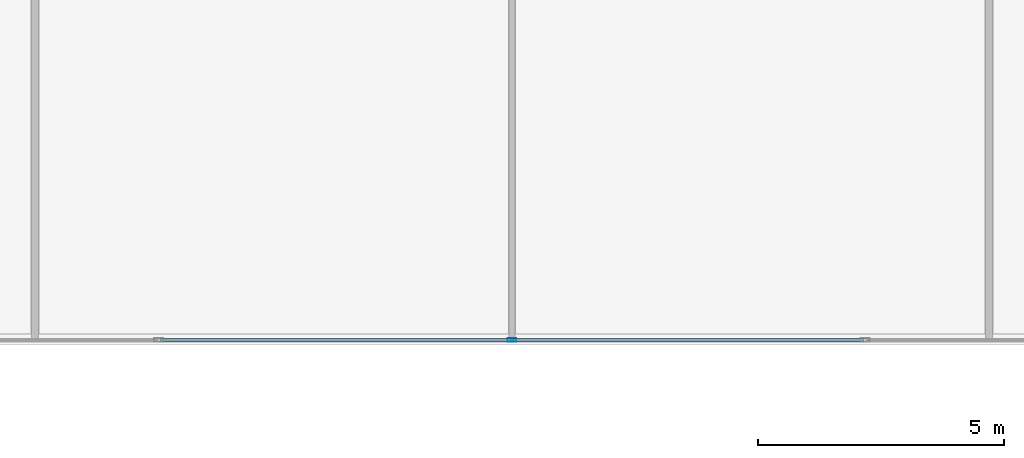
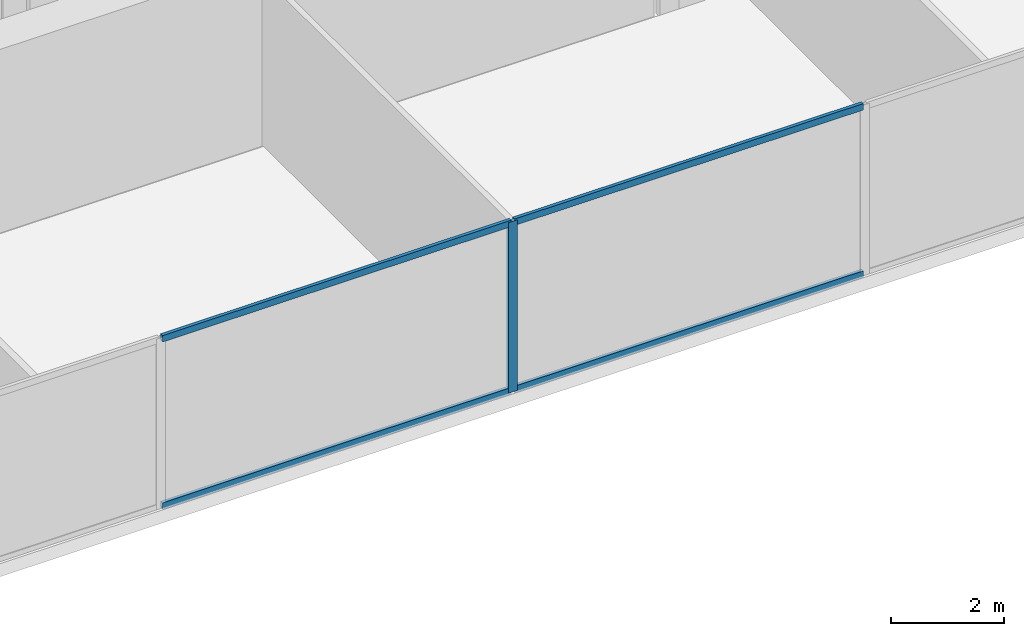
# One storey, part 6 of 30: 5 members, 1 element without a shape of its own.
"""IFC4 building model written with IfcOpenShell, lengths in metres."""

import ifcopenshell
import ifcopenshell.guid

model = None  # the IFC model being written
_history = None  # IfcOwnerHistory: only IFC2X3 demands one
_inside = {}  # id of a spatial element -> (the spatial element, [elements in it])
_under = {}  # id of a project, library or spatial element -> (it, [spatial elements below it])
_declared = {}  # id of a project -> (the project, [libraries it declares])
_typed = {}  # id of a type object -> (the type object, [elements of that type])
_made_of = {}  # id of a material, layer set ... -> (it, [elements and type objects made of it])


def new_model(schema):
    """Start an empty IFC model of exactly this schema.

    Asked for "IFC4X3", IfcOpenShell would pick the latest addendum, in which some entities
    have other attributes; the version numbers below select the first issue.
    IFC2X3 requires an IfcOwnerHistory on every rooted entity: one is made here for all.
    """
    global model, _history
    if schema == "IFC4X3":
        model = ifcopenshell.file(schema_version=(4, 3, 0, 0))
    else:
        model = ifcopenshell.file(schema=schema)
    _inside.clear()
    _under.clear()
    _declared.clear()
    _typed.clear()
    _made_of.clear()
    _history = None
    if model.schema == "IFC2X3":
        org = make("IfcOrganization", Name="unknown")
        user = make(
            "IfcPersonAndOrganization",
            ThePerson=make("IfcPerson", FamilyName="unknown"),
            TheOrganization=org,
        )
        app = make(
            "IfcApplication",
            ApplicationDeveloper=org,
            Version="unknown",
            ApplicationFullName="unknown",
            ApplicationIdentifier="unknown",
        )
        _history = make(
            "IfcOwnerHistory",
            OwningUser=user,
            OwningApplication=app,
            ChangeAction="ADDED",
            CreationDate=0,
        )
    return model


def make(cls, **values):
    """One entity of the class cls with the attributes given. An attribute that is None is left unset."""
    return model.create_entity(
        cls, **{name: value for name, value in values.items() if value is not None}
    )


def rooted(cls, **values):
    """An entity with a GlobalId (a new one), such as an element, a storey or a relation."""
    return make(cls, GlobalId=ifcopenshell.guid.new(), OwnerHistory=_history, **values)


def si_unit(unit_type, name, prefix=None):
    """IfcSIUnit, for example si_unit("LENGTHUNIT", "METRE", prefix="MILLI")."""
    return make("IfcSIUnit", UnitType=unit_type, Prefix=prefix, Name=name)


def assignment(units):
    """IfcUnitAssignment: the units of a project."""
    return None if units is None else make("IfcUnitAssignment", Units=units)


def point(xyz):
    """IfcCartesianPoint."""
    return None if xyz is None else make("IfcCartesianPoint", Coordinates=xyz)


def direction(xyz):
    """IfcDirection."""
    return None if xyz is None else make("IfcDirection", DirectionRatios=xyz)


def frame(location, z_axis=None, x_axis=None):
    """IfcAxis2Placement3D, a coordinate frame: its origin and axes. An axis left out is left unset."""
    return make(
        "IfcAxis2Placement3D",
        Location=point(location),
        Axis=direction(z_axis),
        RefDirection=direction(x_axis),
    )


def frame_2d(location, x_axis=None):
    """IfcAxis2Placement2D, a coordinate frame in the plane: its origin and x axis."""
    return make(
        "IfcAxis2Placement2D", Location=point(location), RefDirection=direction(x_axis)
    )


def origin():
    """The frame at (0, 0, 0) with its axes left unset."""
    return frame((0.0, 0.0, 0.0))


def origin_2d():
    """The frame at (0, 0) in the plane with its x axis left unset."""
    return frame_2d((0.0, 0.0))


def place(relative_to, where):
    """IfcLocalPlacement: puts the frame where relative to a parent placement (None: the world)."""
    return make(
        "IfcLocalPlacement", PlacementRelTo=relative_to, RelativePlacement=where
    )


def context(
    kind, dimensions, precision=None, world=None, true_north=None, identifier=None
):
    """IfcGeometricRepresentationContext, for example the 3D "Model" context."""
    return make(
        "IfcGeometricRepresentationContext",
        ContextIdentifier=identifier,
        ContextType=kind,
        CoordinateSpaceDimension=dimensions,
        Precision=precision,
        WorldCoordinateSystem=world,
        TrueNorth=true_north,
    )


def subcontext(parent, identifier, kind, view, scale=None):
    """IfcGeometricRepresentationSubContext, for example "Body" below "Model"."""
    return make(
        "IfcGeometricRepresentationSubContext",
        ContextIdentifier=identifier,
        ContextType=kind,
        ParentContext=parent,
        TargetScale=scale,
        TargetView=view,
    )


def project(units=None, contexts=None):
    """IfcProject with its units and contexts."""
    return rooted(
        "IfcProject",
        Name="project",
        RepresentationContexts=contexts,
        UnitsInContext=assignment(units),
    )


def spatial(cls, under=None, at=None, **own):
    """A site, building, storey or space (cls), placed at a placement, below another one or the project."""
    s = rooted(cls, ObjectPlacement=at, **own)
    if under is not None:
        _under.setdefault(under.id(), (under, []))[1].append(s)
    return s


def profile(cls, at=None, kind="AREA", **sizes):
    """A parametric profile (cls). Its sizes go by their IFC names, for example OverallWidth=200.0."""
    return make(cls, ProfileType=kind, Position=at, **sizes)


def hollow_rectangle(**sizes):
    """IfcRectangleHollowProfileDef."""
    return profile("IfcRectangleHollowProfileDef", **sizes)


def extrude(swept, where, along, depth):
    """IfcExtrudedAreaSolid: the profile swept, set in the frame where, extruded along a direction by depth."""
    return make(
        "IfcExtrudedAreaSolid",
        SweptArea=swept,
        Position=where,
        ExtrudedDirection=direction(along),
        Depth=depth,
    )


def shape(context_of_items, identifier, shape_type, items):
    """IfcShapeRepresentation: the items that make up one representation, for example the "Body"."""
    return make(
        "IfcShapeRepresentation",
        ContextOfItems=context_of_items,
        RepresentationIdentifier=identifier,
        RepresentationType=shape_type,
        Items=items,
    )


def source(mapping_origin, context_of_items, identifier, shape_type, items):
    """IfcRepresentationMap: a shape defined once, which mapped items show again and again."""
    return make(
        "IfcRepresentationMap",
        MappingOrigin=mapping_origin,
        MappedRepresentation=shape(context_of_items, identifier, shape_type, items),
    )


def transform(
    local_origin,
    x_axis=None,
    y_axis=None,
    z_axis=None,
    scale=None,
    scale2=None,
    scale3=None,
    uniform=True,
):
    """IfcCartesianTransformationOperator3D, or its non-uniform kind. x_axis, y_axis, z_axis: its Axis1, 2, 3."""
    if uniform:
        return make(
            "IfcCartesianTransformationOperator3D",
            Axis1=direction(x_axis),
            Axis2=direction(y_axis),
            LocalOrigin=point(local_origin),
            Scale=scale,
            Axis3=direction(z_axis),
        )
    return make(
        "IfcCartesianTransformationOperator3DnonUniform",
        Axis1=direction(x_axis),
        Axis2=direction(y_axis),
        LocalOrigin=point(local_origin),
        Scale=scale,
        Axis3=direction(z_axis),
        Scale2=scale2,
        Scale3=scale3,
    )


def mapped(mapping_source, mapping_target):
    """IfcMappedItem: shows the shape of a source again, moved by a transform."""
    return make(
        "IfcMappedItem", MappingSource=mapping_source, MappingTarget=mapping_target
    )


def material(Name=None, Category=None):
    """IfcMaterial."""
    return make("IfcMaterial", Name=Name, Category=Category)


def material_profile(
    of_material, cross_section, Name=None, Category=None, Priority=None
):
    """IfcMaterialProfile: a cross section and its material."""
    return make(
        "IfcMaterialProfile",
        Name=Name,
        Material=of_material,
        Profile=cross_section,
        Priority=Priority,
        Category=Category,
    )


def profile_set(profiles, Name=None, composite=None):
    """IfcMaterialProfileSet."""
    return make(
        "IfcMaterialProfileSet",
        Name=Name,
        MaterialProfiles=profiles,
        CompositeProfile=composite,
    )


def made_of(thing, what):
    """Note that an element or type object is made of a material, layer set ...; save() writes the relation."""
    if what is not None:
        _made_of.setdefault(what.id(), (what, []))[1].append(thing)
    return thing


def type_object(cls, material=None, **own):
    """A type object (cls), such as IfcWallType, which elements share."""
    return made_of(rooted(cls, **own), material)


def type_shapes(of_type, sources):
    """Give a type object the sources (RepresentationMaps) that its elements show as mapped items."""
    of_type.RepresentationMaps = sources


def element(
    cls,
    number,
    at=None,
    inside=None,
    cuts=None,
    type_object=None,
    material=None,
    context=None,
    identifier="Body",
    shape_type=None,
    held_by="IfcProductDefinitionShape",
    body=None,
    shapes=None,
    **own,
):
    """One element of the class cls, such as IfcWall. Its Tag is "e" and its number.

    at: its placement. inside: the storey or other place that contains it. cuts: it is an
    opening in that element (IfcRelVoidsElement). A single representation is given by context,
    identifier, shape_type and body (its items); several are given by shapes. held_by: the class
    of the entity that holds the representations. save() writes the other relations.
    """
    e = rooted(cls, Tag="e%d" % number, ObjectPlacement=at, **own)
    if body is not None:
        shapes = [shape(context, identifier, shape_type, body)]
    if shapes is not None:
        e.Representation = make(held_by, Representations=shapes)
    if inside is not None:
        _inside.setdefault(inside.id(), (inside, []))[1].append(e)
    if cuts is not None:
        rooted(
            "IfcRelVoidsElement", RelatingBuildingElement=cuts, RelatedOpeningElement=e
        )
    if type_object is not None:
        _typed.setdefault(type_object.id(), (type_object, []))[1].append(e)
    return made_of(e, material)


def aggregate(whole, parts):
    """IfcRelAggregates: a whole, such as a stair, and the parts it consists of."""
    return rooted("IfcRelAggregates", RelatingObject=whole, RelatedObjects=parts)


def save(model, path):
    """Write the relations noted so far, then the file.

    IfcRelAggregates (storeys below a building ...), IfcRelContainedInSpatialStructure (elements
    in a storey), IfcRelDefinesByType, IfcRelAssociatesMaterial and IfcRelDeclares: one each for
    every whole, place, type object, material and project.
    """
    for whole, parts in _under.values():
        aggregate(whole, parts)
    for where, things in _inside.values():
        rooted(
            "IfcRelContainedInSpatialStructure",
            RelatedElements=things,
            RelatingStructure=where,
        )
    for kind, things in _typed.values():
        rooted("IfcRelDefinesByType", RelatedObjects=things, RelatingType=kind)
    for what, things in _made_of.values():
        rooted("IfcRelAssociatesMaterial", RelatedObjects=things, RelatingMaterial=what)
    for by, libraries in _declared.values():
        rooted("IfcRelDeclares", RelatingContext=by, RelatedDefinitions=libraries)
    model.write(path)


model = new_model("IFC4")

# Units and contexts
model_context = context("Model", 3, precision=1e-05, world=origin(), true_north=direction((0.0, 1.0)))
body_context = subcontext(model_context, "Body", "Model", "MODEL_VIEW")
ifc_project = project(units=[si_unit("LENGTHUNIT", "METRE"), si_unit("AREAUNIT", "SQUARE_METRE"), si_unit("VOLUMEUNIT", "CUBIC_METRE"), si_unit("PLANEANGLEUNIT", "RADIAN"), si_unit("MASSUNIT", "GRAM", prefix="KILO")], contexts=[model_context])

# Site, building, storey
site_placement = place(None, origin())
site = spatial("IfcSite", under=ifc_project, at=site_placement, CompositionType="ELEMENT")
building_placement = place(site_placement, origin())
building = spatial("IfcBuilding", under=site, at=building_placement, Name="Krantzveldt Concourse Tower", CompositionType="ELEMENT")
storey_placement = place(building_placement, frame((0.0, 0.0, 25.0)))
storey = spatial("IfcBuildingStorey", under=building, at=storey_placement, Name="L05", CompositionType="ELEMENT", Elevation=25.0)

# Curtain wall, members
ifc_material = material(Name="Anodised aluminium 6063-T6", Category="aluminium")
curtain_wall_type = type_object("IfcCurtainWallType", Name="CW2", PredefinedType="USERDEFINED", material=ifc_material)
curtain_wall_placement = place(storey_placement, origin())
curtain_wall = element("IfcCurtainWall", 1, at=curtain_wall_placement, inside=storey, type_object=curtain_wall_type, Name="CW-L05-F04", ObjectType="UNITISED CURTAIN WALL", PredefinedType="USERDEFINED")
ifc_material_profile_1 = material_profile(ifc_material, hollow_rectangle(XDim=0.070068359375, YDim=0.179931640625, WallThickness=0.0048828125, at=origin_2d()), Name="Anodised aluminium 6063-T6", Category="aluminium")
ifc_profile_set_1 = profile_set([ifc_material_profile_1], Name="Anodised aluminium 6063-T6 - ALU-MULL 180x70x5")
member_type_1 = type_object("IfcMemberType", Name="CW-MUL-180", PredefinedType="MULLION", material=ifc_profile_set_1)
shared_shape_1 = source(origin(), body_context, "Body", "SweptSolid", [
    extrude(hollow_rectangle(XDim=0.070068359375, YDim=0.179931640625, WallThickness=0.0048828125, at=origin_2d()), origin(), (0.0, 0.0, 1.0), 3.669921875),
])
type_shapes(member_type_1, [shared_shape_1])
member_1_placement = place(storey_placement, frame((36.0, 1.7900390625, 0.0), z_axis=(0.0, 0.0, 1.0), x_axis=(0.0, 1.0, 0.0)))
member_1 = element("IfcMember", 2, at=member_1_placement, type_object=member_type_1, Name="CW-Z12 mullion 4", PredefinedType="MULLION", context=body_context, shape_type="MappedRepresentation", body=[
    mapped(shared_shape_1, transform((0.0, 0.0, 0.0), x_axis=(1.0, 0.0, 0.0), y_axis=(0.0, 1.0, 0.0), z_axis=(0.0, 0.0, 1.0), scale=1.0)),
])
ifc_material_profile_2 = material_profile(ifc_material, hollow_rectangle(XDim=0.070068359375, YDim=0.139892578125, WallThickness=0.0048828125, at=origin_2d()), Name="Anodised aluminium 6063-T6", Category="aluminium")
ifc_profile_set_2 = profile_set([ifc_material_profile_2], Name="Anodised aluminium 6063-T6 - ALU-TRAN 140x70x5")
member_type_2 = type_object("IfcMemberType", Name="CW-TRN-150", PredefinedType="USERDEFINED", material=ifc_profile_set_2)
shared_shape_2 = source(origin(), body_context, "Body", "SweptSolid", [
    extrude(hollow_rectangle(XDim=0.070068359375, YDim=0.139892578125, WallThickness=0.0048828125, at=origin_2d()), origin(), (0.0, 0.0, 1.0), 7.0966796875),
])
type_shapes(member_type_2, [shared_shape_2])
member_2_placement = place(storey_placement, frame((28.868408203125, 1.7900390625, 0.034912109375), z_axis=(1.0, 0.0, 0.0), x_axis=(0.0, 1.0, 0.0)))
member_2 = element("IfcMember", 3, at=member_2_placement, type_object=member_type_2, Name="CW-Z12 transom 3.1", ObjectType="TRANSOM", PredefinedType="USERDEFINED", context=body_context, shape_type="MappedRepresentation", body=[
    mapped(shared_shape_2, transform((0.0, 0.0, 0.0), x_axis=(1.0, 0.0, 0.0), y_axis=(0.0, 1.0, 0.0), z_axis=(0.0, 0.0, 1.0), scale=1.0)),
])
member_3_placement = place(storey_placement, frame((28.868408203125, 1.7900390625, 3.635009765625), z_axis=(1.0, 0.0, 0.0), x_axis=(0.0, 1.0, 0.0)))
member_3 = element("IfcMember", 4, at=member_3_placement, type_object=member_type_2, Name="CW-Z12 transom 3.2", ObjectType="TRANSOM", PredefinedType="USERDEFINED", context=body_context, shape_type="MappedRepresentation", body=[
    mapped(shared_shape_2, transform((0.0, 0.0, 0.0), x_axis=(1.0, 0.0, 0.0), y_axis=(0.0, 1.0, 0.0), z_axis=(0.0, 0.0, 1.0), scale=1.0)),
])
member_4_placement = place(storey_placement, frame((36.034912109375, 1.7900390625, 0.034912109375), z_axis=(1.0, 0.0, 0.0), x_axis=(0.0, 1.0, 0.0)))
member_4 = element("IfcMember", 5, at=member_4_placement, type_object=member_type_2, Name="CW-Z12 transom 4.1", ObjectType="TRANSOM", PredefinedType="USERDEFINED", context=body_context, shape_type="MappedRepresentation", body=[
    mapped(shared_shape_2, transform((0.0, 0.0, 0.0), x_axis=(1.0, 0.0, 0.0), y_axis=(0.0, 1.0, 0.0), z_axis=(0.0, 0.0, 1.0), scale=1.0)),
])
member_5_placement = place(storey_placement, frame((36.034912109375, 1.7900390625, 3.635009765625), z_axis=(1.0, 0.0, 0.0), x_axis=(0.0, 1.0, 0.0)))
member_5 = element("IfcMember", 6, at=member_5_placement, type_object=member_type_2, Name="CW-Z12 transom 4.2", ObjectType="TRANSOM", PredefinedType="USERDEFINED", context=body_context, shape_type="MappedRepresentation", body=[
    mapped(shared_shape_2, transform((0.0, 0.0, 0.0), x_axis=(1.0, 0.0, 0.0), y_axis=(0.0, 1.0, 0.0), z_axis=(0.0, 0.0, 1.0), scale=1.0)),
])
aggregate(curtain_wall, [member_1, member_2, member_3, member_4, member_5])

save(model, "model.ifc")
